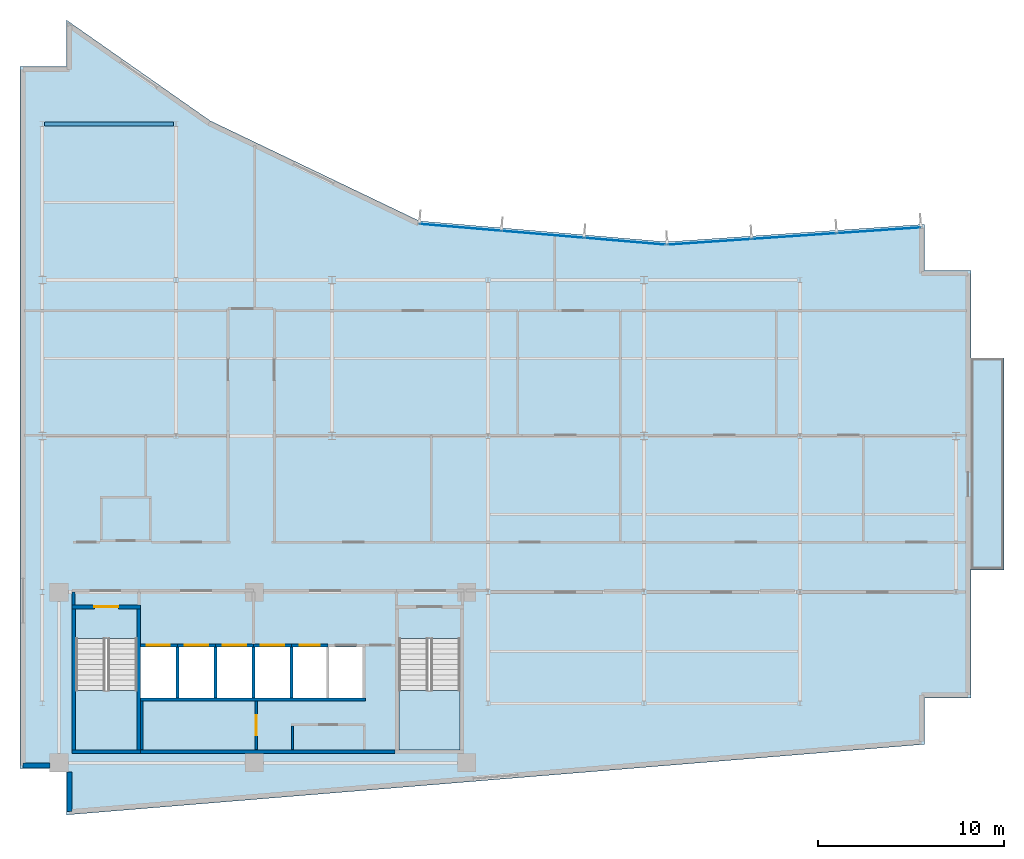
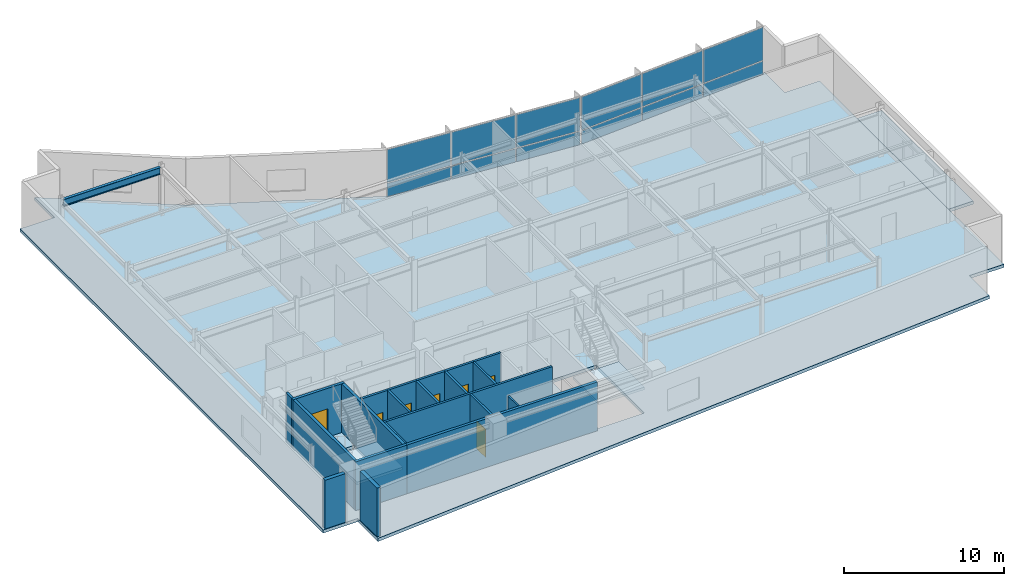
# One storey, part 8 of 14: 21 walls, 12 plates, 7 doors, 4 slabs, 1 beam, 7 openings, 4 elements without a shape of their own.
"""IFC4 building model written with IfcOpenShell, lengths in metres."""

from ifc_helpers import new_model, si_unit, direction, frame, frame_2d, origin, origin_2d, place, context, subcontext, project, spatial, polyline, rectangle, i_section, outline, extrude, material, layer, layer_set, material_profile, profile_set, type_object, element, fill, aggregate, save


model = new_model("IFC4")

# Units and contexts
model_context = context("Model", 3, precision=1e-05, world=origin(), true_north=direction((0.0, 1.0)))
body_context = subcontext(model_context, "Body", "Model", "MODEL_VIEW")
ifc_project = project(units=[si_unit("LENGTHUNIT", "METRE"), si_unit("AREAUNIT", "SQUARE_METRE"), si_unit("VOLUMEUNIT", "CUBIC_METRE"), si_unit("PLANEANGLEUNIT", "RADIAN"), si_unit("MASSUNIT", "GRAM", prefix="KILO")], contexts=[model_context])

# Site, building, storey
site_placement = place(None, origin())
site = spatial("IfcSite", under=ifc_project, at=site_placement, CompositionType="ELEMENT")
building_placement = place(site_placement, origin())
building = spatial("IfcBuilding", under=site, at=building_placement, Name="Varnakote Quay Hospital", CompositionType="ELEMENT")
storey_placement = place(building_placement, frame((0.0, 0.0, 215.800048828125)))
storey = spatial("IfcBuildingStorey", under=building, at=storey_placement, Name="L53", CompositionType="ELEMENT", Elevation=215.800048828125)

# Beam
ifc_material_1 = material(Name="Structural steel AS/NZS 3679.1 Grade 350 L0 (fy 340 MPa)", Category="steel")
ifc_material_profile = material_profile(ifc_material_1, i_section(OverallWidth=0.208984375, OverallDepth=0.532958984375, WebThickness=0.01025390625, FlangeThickness=0.015625, FilletRadius=0.013916015625, at=origin_2d()), Name="530UB92.4")
ifc_profile_set = profile_set([ifc_material_profile], Name="Structural steel AS/NZS 3679.1 Grade 350 L0 (fy 340 MPa)")
beam_type = type_object("IfcBeamType", Name="BM-STL-530UB92-4", PredefinedType="BEAM", material=ifc_profile_set)
beam_placement = place(storey_placement, frame((1.327880859375, 37.199951171875, 3.443359375), z_axis=(1.0, 0.0, 0.0), x_axis=(0.0, 1.0, 0.0)))
element("IfcBeam", 1, at=beam_placement, inside=storey, type_object=beam_type, Name="L53 Primary Floor Beam", PredefinedType="BEAM", context=body_context, shape_type="SweptSolid", body=[
    extrude(i_section(OverallWidth=0.208984375, OverallDepth=0.532958984375, WebThickness=0.01025390625, FlangeThickness=0.015625, FilletRadius=0.013916015625, at=origin_2d()), origin(), (0.0, 0.0, 1.0), 6.944091796875),
])

# Curtain wall, plates
ifc_material_2 = material(Name="Anodised aluminium 6063-T6 Bronze", Category="aluminium")
ifc_layer_1 = layer(ifc_material_2, 0.219970703125)
ifc_layer_set_1 = layer_set([ifc_layer_1], Name="Anodised aluminium 6063-T6 Bronze")
curtain_wall_type = type_object("IfcCurtainWallType", Name="CW-SYS-4", PredefinedType="NOTDEFINED", material=ifc_layer_set_1)
curtain_wall_1_placement = place(storey_placement, origin())
curtain_wall_1 = element("IfcCurtainWall", 2, at=curtain_wall_1_placement, inside=storey, type_object=curtain_wall_type, Name="L53 Unitised Bronze Curtain Wall 1", PredefinedType="NOTDEFINED")
ifc_material_3 = material(Name="Double-glazed low-E solar glass", Category="glass")
ifc_layer_2 = layer(ifc_material_3, 0.028076171875)
ifc_layer_set_2 = layer_set([ifc_layer_2], Name="Double-glazed low-E solar glass")
plate_type = type_object("IfcPlateType", Name="CW-PNL-GLZ-28", PredefinedType="CURTAIN_PANEL", material=ifc_layer_set_2)
plate_1_placement = place(storey_placement, frame((46.236328125, 31.47216796875, 0.06494140625), z_axis=(0.0, 0.0, 1.0), x_axis=(-0.997696087615, -0.067841851077, 0.0)))
plate_1 = element("IfcPlate", 3, at=plate_1_placement, type_object=plate_type, Name="-4-L53-1 panel 1.1", PredefinedType="CURTAIN_PANEL", context=body_context, shape_type="SweptSolid", body=[
    extrude(rectangle(XDim=4.48828125, YDim=0.028076171875, at=origin_2d()), origin(), (0.0, 0.0, 1.0), 1.00244140625),
])
plate_2_placement = place(storey_placement, frame((46.236328125, 31.47216796875, 1.13232421875), z_axis=(0.0, 0.0, 1.0), x_axis=(-0.997696087615, -0.067841851077, 0.0)))
plate_2 = element("IfcPlate", 4, at=plate_2_placement, type_object=plate_type, Name="-4-L53-1 panel 1.2", PredefinedType="CURTAIN_PANEL", context=body_context, shape_type="SweptSolid", body=[
    extrude(rectangle(XDim=4.48828125, YDim=0.028076171875, at=origin_2d()), origin(), (0.0, 0.0, 1.0), 2.512451171875),
])
plate_3_placement = place(storey_placement, frame((41.67724609375, 31.162109375, 0.06494140625), z_axis=(0.0, 0.0, 1.0), x_axis=(-0.997696087615, -0.067841851077, 0.0)))
plate_3 = element("IfcPlate", 5, at=plate_3_placement, type_object=plate_type, Name="-4-L53-1 panel 2.1", PredefinedType="CURTAIN_PANEL", context=body_context, shape_type="SweptSolid", body=[
    extrude(rectangle(XDim=4.520751953125, YDim=0.028076171875, at=origin_2d()), origin(), (0.0, 0.0, 1.0), 1.00244140625),
])
plate_4_placement = place(storey_placement, frame((41.67724609375, 31.162109375, 1.13232421875), z_axis=(0.0, 0.0, 1.0), x_axis=(-0.997696087615, -0.067841851077, 0.0)))
plate_4 = element("IfcPlate", 6, at=plate_4_placement, type_object=plate_type, Name="-4-L53-1 panel 2.2", PredefinedType="CURTAIN_PANEL", context=body_context, shape_type="SweptSolid", body=[
    extrude(rectangle(XDim=4.520751953125, YDim=0.028076171875, at=origin_2d()), origin(), (0.0, 0.0, 1.0), 2.512451171875),
])
plate_5_placement = place(storey_placement, frame((37.118408203125, 30.85205078125, 0.06494140625), z_axis=(0.0, 0.0, 1.0), x_axis=(-0.997696087615, -0.067841851077, 0.0)))
plate_5 = element("IfcPlate", 7, at=plate_5_placement, type_object=plate_type, Name="-4-L53-1 panel 3.1", PredefinedType="CURTAIN_PANEL", context=body_context, shape_type="SweptSolid", body=[
    extrude(rectangle(XDim=4.48828125, YDim=0.028076171875, at=origin_2d()), origin(), (0.0, 0.0, 1.0), 1.00244140625),
])
plate_6_placement = place(storey_placement, frame((37.118408203125, 30.85205078125, 1.13232421875), z_axis=(0.0, 0.0, 1.0), x_axis=(-0.997696087615, -0.067841851077, 0.0)))
plate_6 = element("IfcPlate", 8, at=plate_6_placement, type_object=plate_type, Name="-4-L53-1 panel 3.2", PredefinedType="CURTAIN_PANEL", context=body_context, shape_type="SweptSolid", body=[
    extrude(rectangle(XDim=4.48828125, YDim=0.028076171875, at=origin_2d()), origin(), (0.0, 0.0, 1.0), 2.512451171875),
])
aggregate(curtain_wall_1, [plate_1, plate_2, plate_3, plate_4, plate_5, plate_6])

curtain_wall_2_placement = place(storey_placement, origin())
curtain_wall_2 = element("IfcCurtainWall", 9, at=curtain_wall_2_placement, inside=storey, type_object=curtain_wall_type, Name="L53 Unitised Bronze Curtain Wall 2", PredefinedType="NOTDEFINED")
plate_7_placement = place(storey_placement, frame((32.572998046875, 30.884765625, 0.06494140625), z_axis=(0.0, 0.0, 1.0), x_axis=(-0.996454277304, 0.084136040089, 0.0)))
plate_7 = element("IfcPlate", 10, at=plate_7_placement, type_object=plate_type, Name="-4-L53-2 panel 1.1", PredefinedType="CURTAIN_PANEL", context=body_context, shape_type="SweptSolid", body=[
    extrude(rectangle(XDim=4.369384765625, YDim=0.028076171875, at=origin_2d()), origin(), (0.0, 0.0, 1.0), 1.00244140625),
])
plate_8_placement = place(storey_placement, frame((32.572998046875, 30.884765625, 1.13232421875), z_axis=(0.0, 0.0, 1.0), x_axis=(-0.996454277304, 0.084136040089, 0.0)))
plate_8 = element("IfcPlate", 11, at=plate_8_placement, type_object=plate_type, Name="-4-L53-2 panel 1.2", PredefinedType="CURTAIN_PANEL", context=body_context, shape_type="SweptSolid", body=[
    extrude(rectangle(XDim=4.369384765625, YDim=0.028076171875, at=origin_2d()), origin(), (0.0, 0.0, 1.0), 2.512451171875),
])
plate_9_placement = place(storey_placement, frame((28.137939453125, 31.25927734375, 0.06494140625), z_axis=(0.0, 0.0, 1.0), x_axis=(-0.996454277304, 0.084136040089, 0.0)))
plate_9 = element("IfcPlate", 12, at=plate_9_placement, type_object=plate_type, Name="-4-L53-2 panel 2.1", PredefinedType="CURTAIN_PANEL", context=body_context, shape_type="SweptSolid", body=[
    extrude(rectangle(XDim=4.40185546875, YDim=0.028076171875, at=origin_2d()), origin(), (0.0, 0.0, 1.0), 1.00244140625),
])
plate_10_placement = place(storey_placement, frame((28.137939453125, 31.25927734375, 1.13232421875), z_axis=(0.0, 0.0, 1.0), x_axis=(-0.996454277304, 0.084136040089, 0.0)))
plate_10 = element("IfcPlate", 13, at=plate_10_placement, type_object=plate_type, Name="-4-L53-2 panel 2.2", PredefinedType="CURTAIN_PANEL", context=body_context, shape_type="SweptSolid", body=[
    extrude(rectangle(XDim=4.40185546875, YDim=0.028076171875, at=origin_2d()), origin(), (0.0, 0.0, 1.0), 2.512451171875),
])
plate_11_placement = place(storey_placement, frame((23.703125, 31.6337890625, 0.06494140625), z_axis=(0.0, 0.0, 1.0), x_axis=(-0.996454277304, 0.084136040089, 0.0)))
plate_11 = element("IfcPlate", 14, at=plate_11_placement, type_object=plate_type, Name="-4-L53-2 panel 3.1", PredefinedType="CURTAIN_PANEL", context=body_context, shape_type="SweptSolid", body=[
    extrude(rectangle(XDim=4.369384765625, YDim=0.028076171875, at=origin_2d()), origin(), (0.0, 0.0, 1.0), 1.00244140625),
])
plate_12_placement = place(storey_placement, frame((23.703125, 31.6337890625, 1.13232421875), z_axis=(0.0, 0.0, 1.0), x_axis=(-0.996454277304, 0.084136040089, 0.0)))
plate_12 = element("IfcPlate", 15, at=plate_12_placement, type_object=plate_type, Name="-4-L53-2 panel 3.2", PredefinedType="CURTAIN_PANEL", context=body_context, shape_type="SweptSolid", body=[
    extrude(rectangle(XDim=4.369384765625, YDim=0.028076171875, at=origin_2d()), origin(), (0.0, 0.0, 1.0), 2.512451171875),
])
aggregate(curtain_wall_2, [plate_7, plate_8, plate_9, plate_10, plate_11, plate_12])

# Stair, slab
ifc_material_4 = material(Name="Concrete N40 (f'c 40 MPa)", Category="concrete")
stair_type = type_object("IfcStairType", Name="STR-CORE-1580", PredefinedType="HALF_TURN_STAIR", material=ifc_material_4)
stair_1_placement = place(storey_placement, origin())
stair_1 = element("IfcStair", 16, at=stair_1_placement, inside=storey, type_object=stair_type, Name="L53 Fire-Isolated Exit Stair ST-01", PredefinedType="HALF_TURN_STAIR")
ifc_material_5 = material(Name="Concrete N40 (f'c 40 MPa)", Category="concrete")
ifc_layer_3 = layer(ifc_material_5, 0.199951171875)
ifc_layer_set_3 = layer_set([ifc_layer_3], Name="Concrete N40 (f'c 40 MPa)")
slab_type_1 = type_object("IfcSlabType", Name="SLB-STAIR-LND-200", PredefinedType="LANDING", material=ifc_layer_set_3)
slab_1_placement = place(storey_placement, frame((0.0, 0.0, 1.77490234375)))
slab_1 = element("IfcSlab", 17, at=slab_1_placement, type_object=slab_type_1, Name="ST-01 landing 1", PredefinedType="LANDING", context=body_context, shape_type="SweptSolid", body=[
    extrude(outline(polyline([(3.0, 6.699951171875), (3.0, 3.5), (6.300048828125, 3.5), (6.300048828125, 6.699951171875), (3.0, 6.699951171875)])), origin(), (0.0, 0.0, 1.0), 0.199951171875),
])
aggregate(stair_1, [slab_1])

stair_2_placement = place(storey_placement, origin())
stair_2 = element("IfcStair", 18, at=stair_2_placement, inside=storey, type_object=stair_type, Name="L53 Fire-Isolated Exit Stair ST-02", PredefinedType="HALF_TURN_STAIR")
slab_2_placement = place(storey_placement, frame((0.0, 0.0, 1.77490234375)))
slab_2 = element("IfcSlab", 19, at=slab_2_placement, type_object=slab_type_1, Name="ST-02 landing 1", PredefinedType="LANDING", context=body_context, shape_type="SweptSolid", body=[
    extrude(outline(polyline([(20.39990234375, 6.699951171875), (20.39990234375, 3.5), (23.699951171875, 3.5), (23.699951171875, 6.699951171875), (20.39990234375, 6.699951171875)])), origin(), (0.0, 0.0, 1.0), 0.199951171875),
])
aggregate(stair_2, [slab_2])

# Slabs
ifc_material_6 = material(Name="Concrete N50 (f'c 50 MPa)", Category="concrete")
ifc_layer_4 = layer(ifc_material_6, 0.239990234375)
ifc_layer_set_4 = layer_set([ifc_layer_4], Name="Concrete N50 (f'c 50 MPa)")
slab_type_2 = type_object("IfcSlabType", Name="SLB-TERR-200", PredefinedType="FLOOR", material=ifc_layer_set_4)
slab_3_placement = place(storey_placement, frame((0.0, 0.0, -0.239990234375)))
element("IfcSlab", 20, at=slab_3_placement, inside=storey, type_object=slab_type_2, Name="L53 Waterfront Healing Terrace Slab", PredefinedType="FLOOR", context=body_context, shape_type="SweptSolid", body=[
    extrude(outline(polyline([(51.196044921875, 24.60009765625), (51.196044921875, 13.199951171875), (52.97998046875, 13.199951171875), (52.97998046875, 24.60009765625), (51.196044921875, 24.60009765625)])), origin(), (0.0, 0.0, 1.0), 0.239990234375),
])
ifc_material_7 = material(Name="Concrete N50 (f'c 50 MPa)", Category="concrete")
ifc_layer_5 = layer(ifc_material_7, 0.239990234375)
ifc_layer_set_5 = layer_set([ifc_layer_5], Name="Concrete N50 (f'c 50 MPa)")
slab_type_3 = type_object("IfcSlabType", Name="SLB-WARD-200", PredefinedType="FLOOR", material=ifc_layer_set_5)
slab_4_placement = place(storey_placement, frame((0.0, 0.0, -0.239990234375)))
element("IfcSlab", 21, at=slab_4_placement, inside=storey, type_object=slab_type_3, Name="L53 Primary Floor Slab", PredefinedType="FLOOR", context=body_context, shape_type="SweptSolid", body=[
    extrude(outline(polyline([(0.0, 2.5), (2.5, 2.5), (2.5, 0.0), (48.699951171875, 3.800048828125), (48.699951171875, 6.300048828125), (51.199951171875, 6.300048828125), (51.199951171875, 29.300048828125), (48.699951171875, 29.300048828125), (48.699951171875, 31.800048828125), (34.81591796875, 30.85595703125), (21.50390625, 31.97998046875), (10.239990234375, 37.3759765625), (2.5, 42.800048828125), (2.5, 40.300048828125), (0.0, 40.300048828125), (0.0, 2.5)]), holes=[polyline([(3.0, 3.5), (6.300048828125, 3.5), (6.300048828125, 9.49951171875), (3.0, 9.49951171875), (3.0, 3.5)]), polyline([(20.39990234375, 3.5), (23.699951171875, 3.5), (23.699951171875, 9.49951171875), (20.39990234375, 9.49951171875), (20.39990234375, 3.5)]), polyline([(6.5, 6.300048828125), (8.39990234375, 6.300048828125), (8.39990234375, 9.050048828125), (6.5, 9.050048828125), (6.5, 6.300048828125)]), polyline([(8.550048828125, 6.300048828125), (10.449951171875, 6.300048828125), (10.449951171875, 9.050048828125), (8.550048828125, 9.050048828125), (8.550048828125, 6.300048828125)]), polyline([(10.60009765625, 6.300048828125), (12.5, 6.300048828125), (12.5, 9.050048828125), (10.60009765625, 9.050048828125), (10.60009765625, 6.300048828125)]), polyline([(12.64990234375, 6.300048828125), (14.550048828125, 6.300048828125), (14.550048828125, 9.050048828125), (12.64990234375, 9.050048828125), (12.64990234375, 6.300048828125)]), polyline([(14.699951171875, 6.300048828125), (16.5, 6.300048828125), (16.5, 9.050048828125), (14.699951171875, 9.050048828125), (14.699951171875, 6.300048828125)]), polyline([(16.64990234375, 6.300048828125), (18.449951171875, 6.300048828125), (18.449951171875, 9.050048828125), (16.64990234375, 9.050048828125), (16.64990234375, 6.300048828125)])]), origin(), (0.0, 0.0, 1.0), 0.239990234375),
])

# Walls
ifc_material_8 = material(Name="Fire-rated acoustic gypsum stud wall", Category="gypsum")
ifc_layer_6 = layer(ifc_material_8, 0.159912109375)
ifc_layer_set_6 = layer_set([ifc_layer_6], Name="Fire-rated acoustic gypsum stud wall")
wall_type_1 = type_object("IfcWallType", Name="WL-COMP-160", PredefinedType="PARTITIONING", material=ifc_layer_set_6)
wall_1_placement = place(storey_placement, frame((2.8798828125, 11.300048828125, 0.0), z_axis=(0.0, 0.0, 1.0), x_axis=(0.0, 1.0, 0.0)))
element("IfcWall", 22, at=wall_1_placement, inside=storey, type_object=wall_type_1, Name="L53 West Stair Vestibule West Wall", PredefinedType="PARTITIONING", context=body_context, shape_type="SweptSolid", body=[
    extrude(rectangle(XDim=0.699951171875, YDim=0.159912109375, at=frame_2d((0.35009765625, 0.0))), origin(), (0.0, 0.0, 1.0), 3.7099609375),
])
ifc_material_9 = material(Name="Concrete N50 (f'c 50 MPa)", Category="concrete")
ifc_layer_7 = layer(ifc_material_9, 0.199951171875)
ifc_layer_set_7 = layer_set([ifc_layer_7], Name="Concrete N50 (f'c 50 MPa)")
wall_type_2 = type_object("IfcWallType", Name="WL-CORE-N50-200", PredefinedType="SHEAR", material=ifc_layer_set_7)
wall_2_placement = place(storey_placement, frame((6.5, 3.39990234375, 0.0), z_axis=(0.0, 0.0, 1.0), x_axis=(1.0, 0.0, 0.0)))
element("IfcWall", 23, at=wall_2_placement, inside=storey, type_object=wall_type_2, Name="L53 Rear Core South Shear Wall", PredefinedType="SHEAR", context=body_context, shape_type="SweptSolid", body=[
    extrude(rectangle(XDim=13.699951171875, YDim=0.199951171875, at=frame_2d((6.85009765625, 0.0))), origin(), (0.0, 0.0, 1.0), 3.7099609375),
])
ifc_material_10 = material(Name="Precast concrete N50 (f'c 50 MPa)", Category="concrete")
ifc_layer_8 = layer(ifc_material_10, 0.260009765625)
ifc_layer_set_8 = layer_set([ifc_layer_8], Name="Precast concrete N50 (f'c 50 MPa)")
wall_type_3 = type_object("IfcWallType", Name="WL-EXT-BRICK-260", PredefinedType="STANDARD", material=ifc_layer_set_8)
wall_3_placement = place(storey_placement, frame((2.659912109375, 2.31494140625, 0.0), z_axis=(0.0, 0.0, 1.0), x_axis=(0.0, -1.0, 0.0)))
element("IfcWall", 24, at=wall_3_placement, inside=storey, type_object=wall_type_3, Name="L53 Brick-Faced Precast Exterior Wall", PredefinedType="STANDARD", context=body_context, shape_type="SweptSolid", body=[
    extrude(rectangle(XDim=2.141357421875, YDim=0.260009765625, at=frame_2d((1.07080078125, 0.0))), origin(), (0.0, 0.0, 1.0), 3.7099609375),
])
wall_4_placement = place(storey_placement, frame((0.159912109375, 2.659912109375, 0.0), z_axis=(0.0, 0.0, 1.0), x_axis=(1.0, 0.0, 0.0)))
element("IfcWall", 25, at=wall_4_placement, inside=storey, type_object=wall_type_3, Name="L53 Brick-Faced Precast Exterior Wall", PredefinedType="STANDARD", context=body_context, shape_type="SweptSolid", body=[
    extrude(rectangle(XDim=1.455078125, YDim=0.260009765625, at=frame_2d((0.7275390625, 0.0))), origin(), (0.0, 0.0, 1.0), 3.7099609375),
])
ifc_material_11 = material(Name="Concrete N50 (f'c 50 MPa)", Category="concrete")
ifc_layer_9 = layer(ifc_material_11, 0.14990234375)
ifc_layer_set_9 = layer_set([ifc_layer_9], Name="Concrete N50 (f'c 50 MPa)")
wall_type_4 = type_object("IfcWallType", Name="WL-SHAFT-N50-150", PredefinedType="SHEAR", material=ifc_layer_set_9)
for number, where, z_axis, x_axis, name in (
    (26, (8.47509765625, 6.300048828125, 0.0), (0.0, 0.0, 1.0), (0.0, 1.0, 0.0), "L53 LF-FF1 Hoistway Divider Wall"),
    (27, (10.52490234375, 6.300048828125, 0.0), (0.0, 0.0, 1.0), (0.0, 1.0, 0.0), "L53 LF-FF2 Hoistway Divider Wall"),
    (28, (12.574951171875, 6.300048828125, 0.0), (0.0, 0.0, 1.0), (0.0, 1.0, 0.0), "L53 LF-SV1 Hoistway Divider Wall"),
    (29, (14.625, 6.300048828125, 0.0), (0.0, 0.0, 1.0), (0.0, 1.0, 0.0), "L53 LF-SV2 Hoistway Divider Wall"),
):
    element("IfcWall", number, at=place(storey_placement, frame(where, z_axis=z_axis, x_axis=x_axis)), inside=storey, type_object=wall_type_4, Name=name, PredefinedType="SHEAR", context=body_context, shape_type="SweptSolid", body=[
        extrude(rectangle(XDim=2.75, YDim=0.14990234375, at=frame_2d((1.375, 0.0))), origin(), (0.0, 0.0, 1.0), 3.7099609375),
    ])
ifc_material_12 = material(Name="Concrete N50 (f'c 50 MPa)", Category="concrete")
ifc_layer_10 = layer(ifc_material_12, 0.159912109375)
ifc_layer_set_10 = layer_set([ifc_layer_10], Name="Concrete N50 (f'c 50 MPa)")
wall_type_5 = type_object("IfcWallType", Name="WL-SHAFT-N50-160", PredefinedType="SHEAR", material=ifc_layer_set_10)
wall_5_placement = place(storey_placement, frame((6.5, 6.219970703125, 0.0), z_axis=(0.0, 0.0, 1.0), x_axis=(1.0, 0.0, 0.0)))
element("IfcWall", 30, at=wall_5_placement, inside=storey, type_object=wall_type_5, Name="L53 REAR Lift Bank Back Shear Wall", PredefinedType="SHEAR", context=body_context, shape_type="SweptSolid", body=[
    extrude(rectangle(XDim=12.110107421875, YDim=0.159912109375, at=frame_2d((6.05517578125, 0.0))), origin(), (0.0, 0.0, 1.0), 3.7099609375),
])

# Wall, opening, door
wall_6_placement = place(storey_placement, frame((6.5, 9.1298828125, 0.0), z_axis=(0.0, 0.0, 1.0), x_axis=(1.0, 0.0, 0.0)))
wall_6 = element("IfcWall", 31, at=wall_6_placement, inside=storey, type_object=wall_type_5, Name="L53 LF-FF1 Hoistway Front Wall", PredefinedType="SHEAR", context=body_context, shape_type="SweptSolid", body=[
    extrude(rectangle(XDim=1.97509765625, YDim=0.159912109375, at=frame_2d((0.987548828125, 0.0))), origin(), (0.0, 0.0, 1.0), 3.7099609375),
])
opening_1_placement = place(wall_6_placement, frame((0.324951171875, 0.0, 0.0)))
opening_1 = element("IfcOpeningElement", 32, at=opening_1_placement, cuts=wall_6, Name="Opening LD-FF1-L53", PredefinedType="OPENING", context=body_context, shape_type="SweptSolid", body=[
    extrude(rectangle(XDim=1.25, YDim=2.14990234375, at=frame_2d((0.625, 1.074951171875))), frame((0.0, 0.08984375, 0.0), z_axis=(0.0, -1.0, 0.0), x_axis=(1.0, 0.0, 0.0)), (0.0, 0.0, 1.0), 0.179931640625),
])
ifc_material_13 = material(Name="Stainless steel lift landing sliding door", Category="steel")
door_type_1 = type_object("IfcDoorType", Name="DR-LIFT-LD-1250x2150", OperationType="NOTDEFINED", PredefinedType="DOOR", material=ifc_material_13)
door_1_placement = place(opening_1_placement, origin())
door_1 = element("IfcDoor", 33, at=door_1_placement, inside=storey, type_object=door_type_1, Name="L53 LF-FF1 Lift Landing Sliding Door", OperationType="SLIDING_TO_LEFT", OverallHeight=2.14990234375, OverallWidth=1.25, PredefinedType="DOOR", context=body_context, shape_type="SweptSolid", body=[
    extrude(rectangle(XDim=1.25, YDim=2.14990234375, at=frame_2d((0.625, 1.074951171875))), frame((0.0, 0.02490234375, 0.0), z_axis=(0.0, -1.0, 0.0), x_axis=(1.0, 0.0, 0.0)), (0.0, 0.0, 1.0), 0.050048828125),
])
fill(opening_1, door_1)

wall_7_placement = place(storey_placement, frame((8.47509765625, 9.1298828125, 0.0), z_axis=(0.0, 0.0, 1.0), x_axis=(1.0, 0.0, 0.0)))
wall_7 = element("IfcWall", 34, at=wall_7_placement, inside=storey, type_object=wall_type_5, Name="L53 LF-FF2 Hoistway Front Wall", PredefinedType="SHEAR", context=body_context, shape_type="SweptSolid", body=[
    extrude(rectangle(XDim=2.0498046875, YDim=0.159912109375, at=frame_2d((1.02490234375, 0.0))), origin(), (0.0, 0.0, 1.0), 3.7099609375),
])
opening_2_placement = place(wall_7_placement, frame((0.39990234375, 0.0, 0.0)))
opening_2 = element("IfcOpeningElement", 35, at=opening_2_placement, cuts=wall_7, Name="Opening LD-FF2-L53", PredefinedType="OPENING", context=body_context, shape_type="SweptSolid", body=[
    extrude(rectangle(XDim=1.25, YDim=2.14990234375, at=frame_2d((0.625, 1.074951171875))), frame((0.0, 0.08984375, 0.0), z_axis=(0.0, -1.0, 0.0), x_axis=(1.0, 0.0, 0.0)), (0.0, 0.0, 1.0), 0.179931640625),
])
door_2_placement = place(opening_2_placement, origin())
door_2 = element("IfcDoor", 36, at=door_2_placement, inside=storey, type_object=door_type_1, Name="L53 LF-FF2 Lift Landing Sliding Door", OperationType="SLIDING_TO_LEFT", OverallHeight=2.14990234375, OverallWidth=1.25, PredefinedType="DOOR", context=body_context, shape_type="SweptSolid", body=[
    extrude(rectangle(XDim=1.25, YDim=2.14990234375, at=frame_2d((0.625, 1.074951171875))), frame((0.0, 0.02490234375, 0.0), z_axis=(0.0, -1.0, 0.0), x_axis=(1.0, 0.0, 0.0)), (0.0, 0.0, 1.0), 0.050048828125),
])
fill(opening_2, door_2)

wall_8_placement = place(storey_placement, frame((10.52490234375, 9.1298828125, 0.0), z_axis=(0.0, 0.0, 1.0), x_axis=(1.0, 0.0, 0.0)))
wall_8 = element("IfcWall", 37, at=wall_8_placement, inside=storey, type_object=wall_type_5, Name="L53 LF-SV1 Hoistway Front Wall", PredefinedType="SHEAR", context=body_context, shape_type="SweptSolid", body=[
    extrude(rectangle(XDim=2.050048828125, YDim=0.159912109375, at=frame_2d((1.02490234375, 0.0))), origin(), (0.0, 0.0, 1.0), 3.7099609375),
])
opening_3_placement = place(wall_8_placement, frame((0.39990234375, 0.0, 0.0)))
opening_3 = element("IfcOpeningElement", 38, at=opening_3_placement, cuts=wall_8, Name="Opening LD-SV1-L53", PredefinedType="OPENING", context=body_context, shape_type="SweptSolid", body=[
    extrude(rectangle(XDim=1.25, YDim=2.14990234375, at=frame_2d((0.625, 1.074951171875))), frame((0.0, 0.08984375, 0.0), z_axis=(0.0, -1.0, 0.0), x_axis=(1.0, 0.0, 0.0)), (0.0, 0.0, 1.0), 0.179931640625),
])
door_3_placement = place(opening_3_placement, origin())
door_3 = element("IfcDoor", 39, at=door_3_placement, inside=storey, type_object=door_type_1, Name="L53 LF-SV1 Lift Landing Sliding Door", OperationType="SLIDING_TO_LEFT", OverallHeight=2.14990234375, OverallWidth=1.25, PredefinedType="DOOR", context=body_context, shape_type="SweptSolid", body=[
    extrude(rectangle(XDim=1.25, YDim=2.14990234375, at=frame_2d((0.625, 1.074951171875))), frame((0.0, 0.02490234375, 0.0), z_axis=(0.0, -1.0, 0.0), x_axis=(1.0, 0.0, 0.0)), (0.0, 0.0, 1.0), 0.050048828125),
])
fill(opening_3, door_3)

wall_9_placement = place(storey_placement, frame((12.574951171875, 9.1298828125, 0.0), z_axis=(0.0, 0.0, 1.0), x_axis=(1.0, 0.0, 0.0)))
wall_9 = element("IfcWall", 40, at=wall_9_placement, inside=storey, type_object=wall_type_5, Name="L53 LF-SV2 Hoistway Front Wall", PredefinedType="SHEAR", context=body_context, shape_type="SweptSolid", body=[
    extrude(rectangle(XDim=2.050048828125, YDim=0.159912109375, at=frame_2d((1.02490234375, 0.0))), origin(), (0.0, 0.0, 1.0), 3.7099609375),
])
opening_4_placement = place(wall_9_placement, frame((0.39990234375, 0.0, 0.0)))
opening_4 = element("IfcOpeningElement", 41, at=opening_4_placement, cuts=wall_9, Name="Opening LD-SV2-L53", PredefinedType="OPENING", context=body_context, shape_type="SweptSolid", body=[
    extrude(rectangle(XDim=1.25, YDim=2.14990234375, at=frame_2d((0.625, 1.074951171875))), frame((0.0, 0.08984375, 0.0), z_axis=(0.0, -1.0, 0.0), x_axis=(1.0, 0.0, 0.0)), (0.0, 0.0, 1.0), 0.179931640625),
])
door_4_placement = place(opening_4_placement, origin())
door_4 = element("IfcDoor", 42, at=door_4_placement, inside=storey, type_object=door_type_1, Name="L53 LF-SV2 Lift Landing Sliding Door", OperationType="SLIDING_TO_LEFT", OverallHeight=2.14990234375, OverallWidth=1.25, PredefinedType="DOOR", context=body_context, shape_type="SweptSolid", body=[
    extrude(rectangle(XDim=1.25, YDim=2.14990234375, at=frame_2d((0.625, 1.074951171875))), frame((0.0, 0.02490234375, 0.0), z_axis=(0.0, -1.0, 0.0), x_axis=(1.0, 0.0, 0.0)), (0.0, 0.0, 1.0), 0.050048828125),
])
fill(opening_4, door_4)

wall_10_placement = place(storey_placement, frame((14.625, 9.1298828125, 0.0), z_axis=(0.0, 0.0, 1.0), x_axis=(1.0, 0.0, 0.0)))
wall_10 = element("IfcWall", 43, at=wall_10_placement, inside=storey, type_object=wall_type_5, Name="L53 LF-PH1 Hoistway Front Wall", PredefinedType="SHEAR", context=body_context, shape_type="SweptSolid", body=[
    extrude(rectangle(XDim=1.949951171875, YDim=0.159912109375, at=frame_2d((0.97509765625, 0.0))), origin(), (0.0, 0.0, 1.0), 3.7099609375),
])
opening_5_placement = place(wall_10_placement, frame((0.425048828125, 0.0, 0.0)))
opening_5 = element("IfcOpeningElement", 44, at=opening_5_placement, cuts=wall_10, Name="Opening LD-PH1-L53", PredefinedType="OPENING", context=body_context, shape_type="SweptSolid", body=[
    extrude(rectangle(XDim=1.10009765625, YDim=2.14990234375, at=frame_2d((0.550048828125, 1.074951171875))), frame((0.0, 0.08984375, 0.0), z_axis=(0.0, -1.0, 0.0), x_axis=(1.0, 0.0, 0.0)), (0.0, 0.0, 1.0), 0.179931640625),
])
ifc_material_14 = material(Name="Brushed bronze lift landing sliding door")
door_type_2 = type_object("IfcDoorType", Name="DR-LIFT-LD-1100x2150", OperationType="NOTDEFINED", PredefinedType="DOOR", material=ifc_material_14)
door_5_placement = place(opening_5_placement, origin())
door_5 = element("IfcDoor", 45, at=door_5_placement, inside=storey, type_object=door_type_2, Name="L53 LF-PH1 Lift Landing Sliding Door", OperationType="SLIDING_TO_LEFT", OverallHeight=2.14990234375, OverallWidth=1.10009765625, PredefinedType="DOOR", context=body_context, shape_type="SweptSolid", body=[
    extrude(rectangle(XDim=1.10009765625, YDim=2.14990234375, at=frame_2d((0.550048828125, 1.074951171875))), frame((0.0, 0.02490234375, 0.0), z_axis=(0.0, -1.0, 0.0), x_axis=(1.0, 0.0, 0.0)), (0.0, 0.0, 1.0), 0.050048828125),
])
fill(opening_5, door_5)

# Walls
ifc_material_15 = material(Name="Concrete N50 (f'c 50 MPa)", Category="concrete")
ifc_layer_11 = layer(ifc_material_15, 0.199951171875)
ifc_layer_set_11 = layer_set([ifc_layer_11], Name="Concrete N50 (f'c 50 MPa)")
wall_type_6 = type_object("IfcWallType", Name="WL-SHAFT-N50-200", PredefinedType="SHEAR", material=ifc_layer_set_11)
wall_11_placement = place(storey_placement, frame((2.800048828125, 3.39990234375, 0.0), z_axis=(0.0, 0.0, 1.0), x_axis=(1.0, 0.0, 0.0)))
element("IfcWall", 46, at=wall_11_placement, inside=storey, type_object=wall_type_6, Name="L53 Stair ST1 South Shaft Wall", PredefinedType="SHEAR", context=body_context, shape_type="SweptSolid", body=[
    extrude(rectangle(XDim=3.699951171875, YDim=0.199951171875, at=frame_2d((1.85009765625, 0.0))), origin(), (0.0, 0.0, 1.0), 3.7099609375),
])
for number, where, z_axis, x_axis, name in (
    (47, (2.89990234375, 3.5, 0.0), (0.0, 0.0, 1.0), (0.0, 1.0, 0.0), "L53 Stair ST1 West Shaft Wall"),
    (48, (6.39990234375, 3.5, 0.0), (0.0, 0.0, 1.0), (0.0, 1.0, 0.0), "L53 Stair ST1 East Shaft Wall"),
):
    element("IfcWall", number, at=place(storey_placement, frame(where, z_axis=z_axis, x_axis=x_axis)), inside=storey, type_object=wall_type_6, Name=name, PredefinedType="SHEAR", context=body_context, shape_type="SweptSolid", body=[
        extrude(rectangle(XDim=7.60009765625, YDim=0.199951171875, at=frame_2d((3.800048828125, 0.0))), origin(), (0.0, 0.0, 1.0), 3.7099609375),
    ])

# Wall, opening, door
wall_12_placement = place(storey_placement, frame((2.800048828125, 11.199951171875, 0.0), z_axis=(0.0, 0.0, 1.0), x_axis=(1.0, 0.0, 0.0)))
wall_12 = element("IfcWall", 49, at=wall_12_placement, inside=storey, type_object=wall_type_6, Name="L53 Stair ST1 Exit Wall", PredefinedType="SHEAR", context=body_context, shape_type="SweptSolid", body=[
    extrude(rectangle(XDim=3.699951171875, YDim=0.199951171875, at=frame_2d((1.85009765625, 0.0))), origin(), (0.0, 0.0, 1.0), 3.7099609375),
])
opening_6_placement = place(wall_12_placement, frame((1.199951171875, 0.0, 0.0)))
opening_6 = element("IfcOpeningElement", 50, at=opening_6_placement, cuts=wall_12, Name="Opening D-ST1-L53", PredefinedType="OPENING", context=body_context, shape_type="SweptSolid", body=[
    extrude(rectangle(XDim=1.300048828125, YDim=2.14990234375, at=frame_2d((0.64990234375, 1.074951171875))), frame((0.0, 0.10986328125, 0.0), z_axis=(0.0, -1.0, 0.0), x_axis=(1.0, 0.0, 0.0)), (0.0, 0.0, 1.0), 0.219970703125),
])
ifc_material_16 = material(Name="Fire-rated ceramic-glazed timber exit door", Category="wood")
door_type_3 = type_object("IfcDoorType", Name="DR-STAIR-FD60S-1300x2150", OperationType="NOTDEFINED", PredefinedType="DOOR", material=ifc_material_16)
door_6_placement = place(opening_6_placement, origin())
door_6 = element("IfcDoor", 51, at=door_6_placement, inside=storey, type_object=door_type_3, Name="L53 Stair ST1 Fire Exit Door", OperationType="SINGLE_SWING_RIGHT", OverallHeight=2.14990234375, OverallWidth=1.300048828125, PredefinedType="DOOR", context=body_context, shape_type="SweptSolid", body=[
    extrude(rectangle(XDim=1.300048828125, YDim=2.14990234375, at=frame_2d((0.64990234375, 1.074951171875))), frame((0.0, 0.02490234375, 0.0), z_axis=(0.0, -1.0, 0.0), x_axis=(1.0, 0.0, 0.0)), (0.0, 0.0, 1.0), 0.050048828125),
])
fill(opening_6, door_6)

# Walls
ifc_material_17 = material(Name="Smoke-proof clinical partition", Category="gypsum")
ifc_layer_12 = layer(ifc_material_17, 0.1201171875)
ifc_layer_set_12 = layer_set([ifc_layer_12], Name="Smoke-proof clinical partition")
wall_type_7 = type_object("IfcWallType", Name="WL-SMOKE-120", PredefinedType="PARTITIONING", material=ifc_layer_set_12)
wall_13_placement = place(storey_placement, frame((6.56005859375, 3.52001953125, 0.0), z_axis=(0.0, 0.0, 1.0), x_axis=(0.0, 1.0, 0.0)))
element("IfcWall", 52, at=wall_13_placement, inside=storey, type_object=wall_type_7, Name="L53 Core West Store West Wall", PredefinedType="PARTITIONING", context=body_context, shape_type="SweptSolid", body=[
    extrude(rectangle(XDim=2.619873046875, YDim=0.1201171875, at=frame_2d((1.31005859375, 0.0))), origin(), (0.0, 0.0, 1.0), 3.7099609375),
])
wall_14_placement = place(storey_placement, frame((14.669921875, 3.52001953125, 0.0), z_axis=(0.0, 0.0, 1.0), x_axis=(0.0, 1.0, 0.0)))
element("IfcWall", 53, at=wall_14_placement, inside=storey, type_object=wall_type_7, Name="L53 Core WC West Wall", PredefinedType="PARTITIONING", context=body_context, shape_type="SweptSolid", body=[
    extrude(rectangle(XDim=1.260009765625, YDim=0.1201171875, at=frame_2d((0.6298828125, 0.0))), origin(), (0.0, 0.0, 1.0), 3.7099609375),
])

# Wall, opening, door
ifc_material_18 = material(Name="Fire-rated clinical gypsum partition", Category="gypsum")
ifc_layer_13 = layer(ifc_material_18, 0.139892578125)
ifc_layer_set_13 = layer_set([ifc_layer_13], Name="Fire-rated clinical gypsum partition")
wall_type_8 = type_object("IfcWallType", Name="WL-WARD-140", PredefinedType="PARTITIONING", material=ifc_layer_set_13)
wall_15_placement = place(storey_placement, frame((12.72998046875, 3.52001953125, 0.0), z_axis=(0.0, 0.0, 1.0), x_axis=(0.0, 1.0, 0.0)))
wall_15 = element("IfcWall", 54, at=wall_15_placement, inside=storey, type_object=wall_type_8, Name="L53 Core Clean Equipment Store East Wall", PredefinedType="PARTITIONING", context=body_context, shape_type="SweptSolid", body=[
    extrude(rectangle(XDim=2.619873046875, YDim=0.139892578125, at=frame_2d((1.31005859375, 0.0))), origin(), (0.0, 0.0, 1.0), 3.7099609375),
])
opening_7_placement = place(wall_15_placement, frame((0.760009765625, 0.0, 0.0)))
opening_7 = element("IfcOpeningElement", 55, at=opening_7_placement, cuts=wall_15, Name="Opening D-L53-CR01", PredefinedType="OPENING", context=body_context, shape_type="SweptSolid", body=[
    extrude(rectangle(XDim=1.10009765625, YDim=2.10009765625, at=frame_2d((0.550048828125, 1.050048828125))), frame((0.0, 0.079833984375, 0.0), z_axis=(0.0, -1.0, 0.0), x_axis=(1.0, 0.0, 0.0)), (0.0, 0.0, 1.0), 0.159912109375),
])
ifc_material_19 = material(Name="Acoustic timber clinical consult door", Category="wood")
door_type_4 = type_object("IfcDoorType", Name="DR-CLIN-FD30S-1100x2100", OperationType="NOTDEFINED", PredefinedType="DOOR", material=ifc_material_19)
door_7_placement = place(opening_7_placement, origin())
door_7 = element("IfcDoor", 56, at=door_7_placement, inside=storey, type_object=door_type_4, Name="L53 Core Clean Equipment Store Door", OperationType="SINGLE_SWING_RIGHT", OverallHeight=2.10009765625, OverallWidth=1.10009765625, PredefinedType="DOOR", context=body_context, shape_type="SweptSolid", body=[
    extrude(rectangle(XDim=1.10009765625, YDim=2.10009765625, at=frame_2d((0.550048828125, 1.050048828125))), frame((0.0, 0.02490234375, 0.0), z_axis=(0.0, -1.0, 0.0), x_axis=(1.0, 0.0, 0.0)), (0.0, 0.0, 1.0), 0.050048828125),
])
fill(opening_7, door_7)

save(model, "model.ifc")
